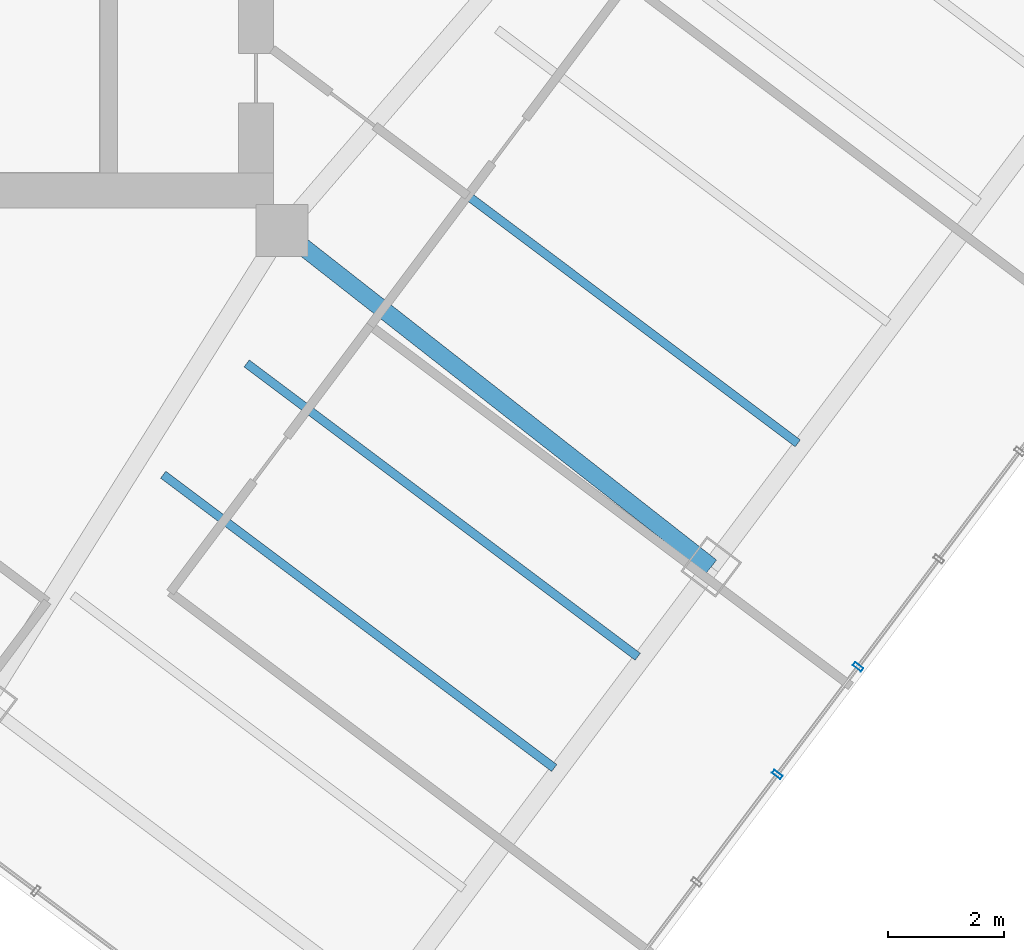
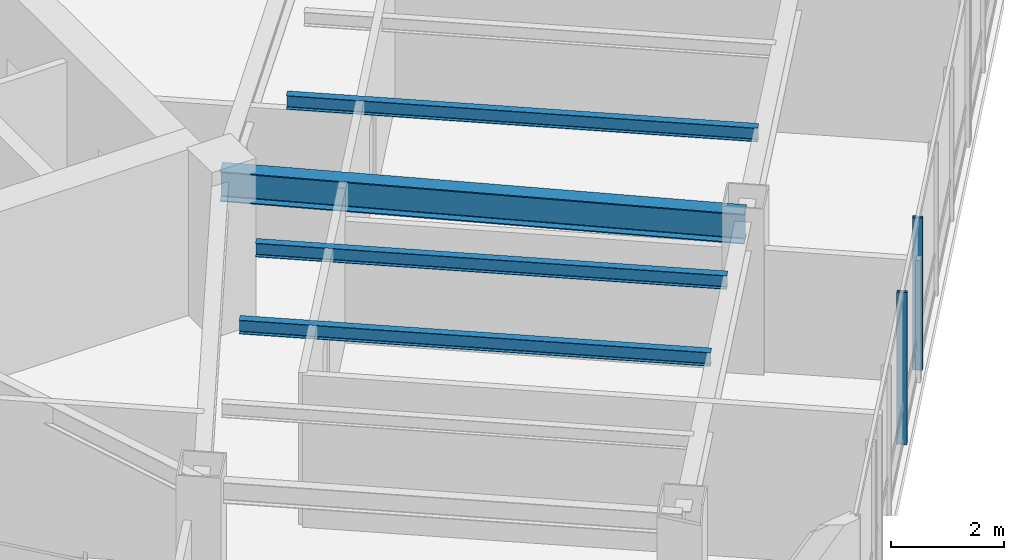
# One storey, part 14 of 29: 4 beams, 2 members, 1 element without a shape of its own.
"""IFC4 building model written with IfcOpenShell, lengths in metres."""

from ifc_helpers import new_model, si_unit, direction, frame, origin, origin_2d, place, context, subcontext, project, spatial, hollow_rectangle, i_section, extrude, material, layer, layer_set, material_profile, profile_set, type_object, element, aggregate, save


model = new_model("IFC4")

# Units and contexts
model_context = context("Model", 3, precision=1e-05, world=origin(), true_north=direction((0.0, 1.0)))
body_context = subcontext(model_context, "Body", "Model", "MODEL_VIEW")
ifc_project = project(units=[si_unit("LENGTHUNIT", "METRE"), si_unit("AREAUNIT", "SQUARE_METRE"), si_unit("VOLUMEUNIT", "CUBIC_METRE"), si_unit("PLANEANGLEUNIT", "RADIAN"), si_unit("MASSUNIT", "GRAM", prefix="KILO")], contexts=[model_context])

# Site, building, storey
site_placement = place(None, origin())
site = spatial("IfcSite", under=ifc_project, at=site_placement, CompositionType="ELEMENT")
building_placement = place(site_placement, origin())
building = spatial("IfcBuilding", under=site, at=building_placement, Name="Hatsunagi Terrace Concourse", CompositionType="ELEMENT")
storey_placement = place(building_placement, frame((0.0, 0.0, 178.050048828125)))
storey = spatial("IfcBuildingStorey", under=building, at=storey_placement, Name="L47", CompositionType="ELEMENT", Elevation=178.050048828125)

# Curtain wall, members
ifc_material_1 = material(Name="Anodised Aluminium Alloy 6063-T5", Category="aluminium")
ifc_layer = layer(ifc_material_1, 0.199951171875)
ifc_layer_set = layer_set([ifc_layer], Name="OfficeZone1_CW03")
curtain_wall_type = type_object("IfcCurtainWallType", Name="OfficeZone1_CW03", PredefinedType="NOTDEFINED", material=ifc_layer_set)
curtain_wall_placement = place(storey_placement, origin())
curtain_wall = element("IfcCurtainWall", 1, at=curtain_wall_placement, inside=storey, type_object=curtain_wall_type, Name="Unitised Curtain Wall CW-03 CW-L47-03", PredefinedType="NOTDEFINED")
ifc_material_2 = material(Name="Anodised Aluminium Alloy 6063-T5", Category="aluminium")
ifc_material_profile_1 = material_profile(ifc_material_2, hollow_rectangle(XDim=0.070068359375, YDim=0.179931640625, WallThickness=0.00390625, at=origin_2d()), Name="ALU-MUL-180x70x4")
ifc_profile_set_1 = profile_set([ifc_material_profile_1], Name="Anodised Aluminium Alloy 6063-T5")
member_type = type_object("IfcMemberType", Name="CurtainWallMullion_180x70", PredefinedType="MULLION", material=ifc_profile_set_1)
member_1_placement = place(storey_placement, frame((53.73193359375, 16.676025390625, 0.0), z_axis=(0.0, 0.0, 1.0), x_axis=(-0.599969314634, -0.800023013105, 0.0)))
member_1 = element("IfcMember", 2, at=member_1_placement, type_object=member_type, Name="Curtain Wall Mullion MUL-02", PredefinedType="MULLION", context=body_context, shape_type="SweptSolid", body=[
    extrude(hollow_rectangle(XDim=0.070068359375, YDim=0.179931640625, WallThickness=0.00390625, at=origin_2d()), origin(), (0.0, 0.0, 1.0), 3.300048828125),
])
member_2_placement = place(storey_placement, frame((52.340087890625, 14.819091796875, 0.0), z_axis=(0.0, 0.0, 1.0), x_axis=(-0.599969314634, -0.800023013105, 0.0)))
member_2 = element("IfcMember", 3, at=member_2_placement, type_object=member_type, Name="Curtain Wall Mullion MUL-02", PredefinedType="MULLION", context=body_context, shape_type="SweptSolid", body=[
    extrude(hollow_rectangle(XDim=0.070068359375, YDim=0.179931640625, WallThickness=0.00390625, at=origin_2d()), origin(), (0.0, 0.0, 1.0), 3.300048828125),
])
aggregate(curtain_wall, [member_1, member_2])

# Beams
ifc_material_3 = material(Name="Steel SN490B", Category="steel")
ifc_material_profile_2 = material_profile(ifc_material_3, i_section(OverallWidth=0.14990234375, OverallDepth=0.300048828125, WebThickness=0.006591796875, FlangeThickness=0.009033203125, FilletRadius=0.010986328125, at=origin_2d()), Name="H-300x150x6.5x9")
ifc_profile_set_2 = profile_set([ifc_material_profile_2], Name="Steel SN490B")
beam_type_1 = type_object("IfcBeamType", Name="OfficeJoist_H_300x150", PredefinedType="JOIST", material=ifc_profile_set_2)
for number, where, z_axis, x_axis, name in (
    (4, (41.748046875, 19.989013671875, 3.14990234375), (0.799989573921, -0.600013901187, 0.0), (0.600013901187, 0.799989573921, 0.0), "Beam J-03 J-L47-SE-2-72"),
    (5, (43.18798828125, 21.908935546875, 3.14990234375), (0.800003475366, -0.59999536615, 0.0), (0.59999536615, 0.800003475366, 0.0), "Beam J-03 J-L47-SE-2-96"),
    (6, (45.947998046875, 25.589111328125, 3.14990234375), (0.799989573921, -0.600013901187, 0.0), (0.600013901187, 0.799989573921, 0.0), "Beam J-03 J-L47-SE-2-142"),
):
    element("IfcBeam", number, at=place(storey_placement, frame(where, z_axis=z_axis, x_axis=x_axis)), inside=storey, type_object=beam_type_1, Name=name, PredefinedType="JOIST", context=body_context, shape_type="SweptSolid", body=[
        extrude(i_section(OverallWidth=0.14990234375, OverallDepth=0.300048828125, WebThickness=0.006591796875, FlangeThickness=0.009033203125, FilletRadius=0.010986328125, at=origin_2d()), origin(), (0.0, 0.0, 1.0), 8.429931640625),
    ])
ifc_material_4 = material(Name="Steel SN490B", Category="steel")
ifc_material_profile_3 = material_profile(ifc_material_4, i_section(OverallWidth=0.300048828125, OverallDepth=0.64990234375, WebThickness=0.012939453125, FlangeThickness=0.02197265625, FilletRadius=0.01806640625, at=origin_2d()), Name="H-650x300x13x22")
ifc_profile_set_3 = profile_set([ifc_material_profile_3], Name="Steel SN490B")
beam_type_2 = type_object("IfcBeamType", Name="OfficeLowGirder_H_650x300", PredefinedType="BEAM", material=ifc_profile_set_3)
beam_placement = place(storey_placement, frame((43.800048828125, 24.199951171875, 2.974853515625), z_axis=(0.787049441068, -0.616889923175, 0.0), x_axis=(0.616889923175, 0.787049441068, 0.0)))
element("IfcBeam", 7, at=beam_placement, inside=storey, type_object=beam_type_2, Name="Beam G-05 BM-L47-SE-M2", PredefinedType="BEAM", context=body_context, shape_type="SweptSolid", body=[
    extrude(i_section(OverallWidth=0.300048828125, OverallDepth=0.64990234375, WebThickness=0.012939453125, FlangeThickness=0.02197265625, FilletRadius=0.01806640625, at=origin_2d()), origin(), (0.0, 0.0, 1.0), 9.402099609375),
])

save(model, "model.ifc")
